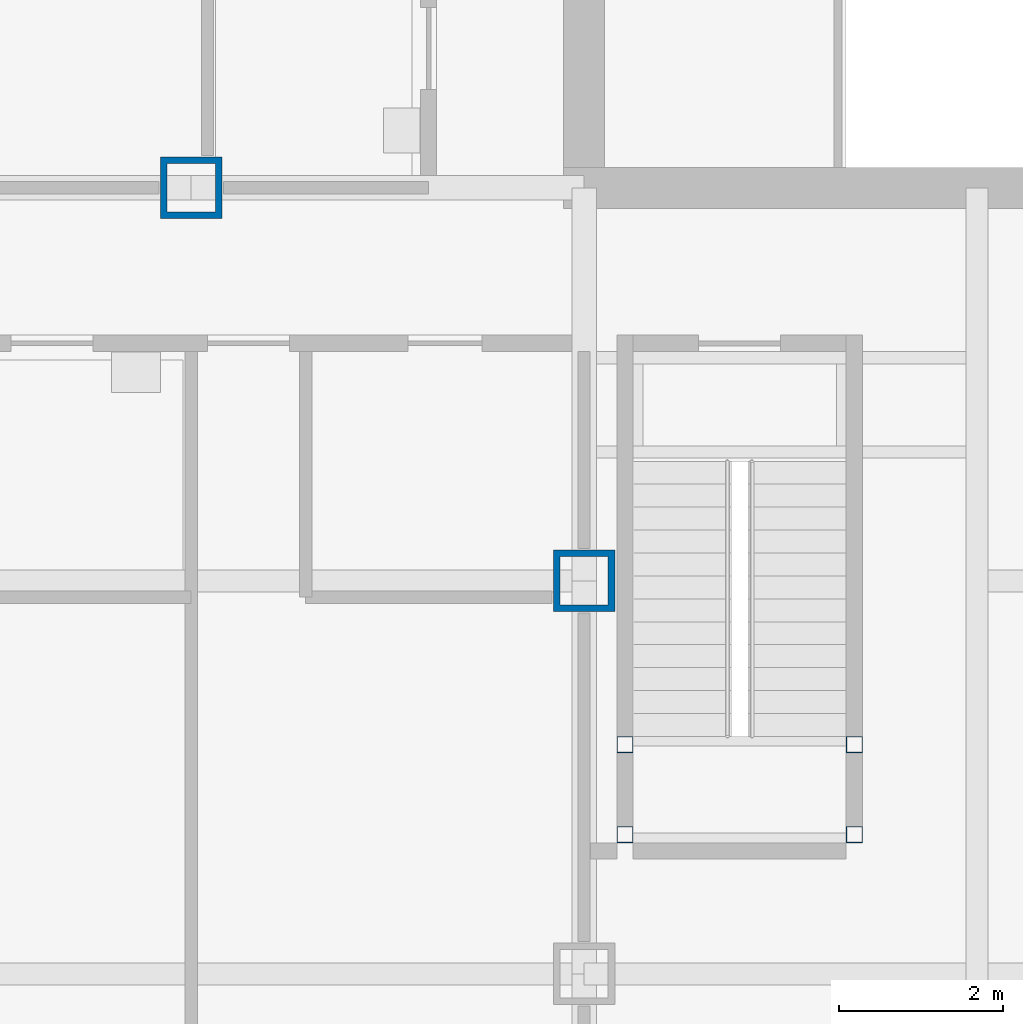
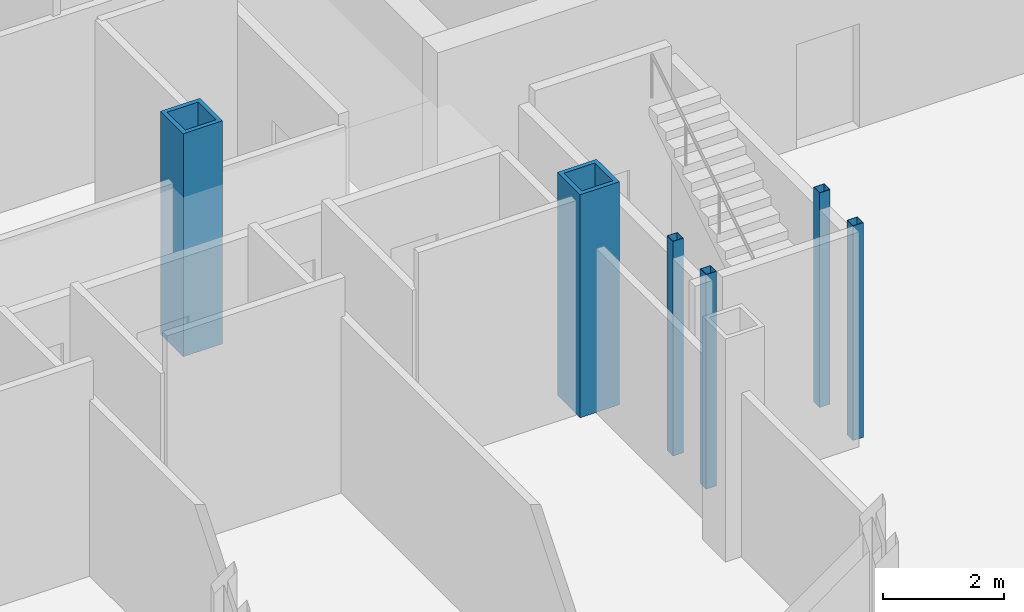
# One storey, part 3 of 28: 6 columns.
"""IFC4 building model written with IfcOpenShell, lengths in metres."""

import ifcopenshell
import ifcopenshell.guid

model = None  # the IFC model being written
_history = None  # IfcOwnerHistory: only IFC2X3 demands one
_inside = {}  # id of a spatial element -> (the spatial element, [elements in it])
_under = {}  # id of a project, library or spatial element -> (it, [spatial elements below it])
_declared = {}  # id of a project -> (the project, [libraries it declares])
_typed = {}  # id of a type object -> (the type object, [elements of that type])
_made_of = {}  # id of a material, layer set ... -> (it, [elements and type objects made of it])


def new_model(schema):
    """Start an empty IFC model of exactly this schema.

    Asked for "IFC4X3", IfcOpenShell would pick the latest addendum, in which some entities
    have other attributes; the version numbers below select the first issue.
    IFC2X3 requires an IfcOwnerHistory on every rooted entity: one is made here for all.
    """
    global model, _history
    if schema == "IFC4X3":
        model = ifcopenshell.file(schema_version=(4, 3, 0, 0))
    else:
        model = ifcopenshell.file(schema=schema)
    _inside.clear()
    _under.clear()
    _declared.clear()
    _typed.clear()
    _made_of.clear()
    _history = None
    if model.schema == "IFC2X3":
        org = make("IfcOrganization", Name="unknown")
        user = make(
            "IfcPersonAndOrganization",
            ThePerson=make("IfcPerson", FamilyName="unknown"),
            TheOrganization=org,
        )
        app = make(
            "IfcApplication",
            ApplicationDeveloper=org,
            Version="unknown",
            ApplicationFullName="unknown",
            ApplicationIdentifier="unknown",
        )
        _history = make(
            "IfcOwnerHistory",
            OwningUser=user,
            OwningApplication=app,
            ChangeAction="ADDED",
            CreationDate=0,
        )
    return model


def make(cls, **values):
    """One entity of the class cls with the attributes given. An attribute that is None is left unset."""
    return model.create_entity(
        cls, **{name: value for name, value in values.items() if value is not None}
    )


def rooted(cls, **values):
    """An entity with a GlobalId (a new one), such as an element, a storey or a relation."""
    return make(cls, GlobalId=ifcopenshell.guid.new(), OwnerHistory=_history, **values)


def si_unit(unit_type, name, prefix=None):
    """IfcSIUnit, for example si_unit("LENGTHUNIT", "METRE", prefix="MILLI")."""
    return make("IfcSIUnit", UnitType=unit_type, Prefix=prefix, Name=name)


def assignment(units):
    """IfcUnitAssignment: the units of a project."""
    return None if units is None else make("IfcUnitAssignment", Units=units)


def point(xyz):
    """IfcCartesianPoint."""
    return None if xyz is None else make("IfcCartesianPoint", Coordinates=xyz)


def direction(xyz):
    """IfcDirection."""
    return None if xyz is None else make("IfcDirection", DirectionRatios=xyz)


def frame(location, z_axis=None, x_axis=None):
    """IfcAxis2Placement3D, a coordinate frame: its origin and axes. An axis left out is left unset."""
    return make(
        "IfcAxis2Placement3D",
        Location=point(location),
        Axis=direction(z_axis),
        RefDirection=direction(x_axis),
    )


def frame_2d(location, x_axis=None):
    """IfcAxis2Placement2D, a coordinate frame in the plane: its origin and x axis."""
    return make(
        "IfcAxis2Placement2D", Location=point(location), RefDirection=direction(x_axis)
    )


def origin():
    """The frame at (0, 0, 0) with its axes left unset."""
    return frame((0.0, 0.0, 0.0))


def origin_2d():
    """The frame at (0, 0) in the plane with its x axis left unset."""
    return frame_2d((0.0, 0.0))


def place(relative_to, where):
    """IfcLocalPlacement: puts the frame where relative to a parent placement (None: the world)."""
    return make(
        "IfcLocalPlacement", PlacementRelTo=relative_to, RelativePlacement=where
    )


def context(
    kind, dimensions, precision=None, world=None, true_north=None, identifier=None
):
    """IfcGeometricRepresentationContext, for example the 3D "Model" context."""
    return make(
        "IfcGeometricRepresentationContext",
        ContextIdentifier=identifier,
        ContextType=kind,
        CoordinateSpaceDimension=dimensions,
        Precision=precision,
        WorldCoordinateSystem=world,
        TrueNorth=true_north,
    )


def subcontext(parent, identifier, kind, view, scale=None):
    """IfcGeometricRepresentationSubContext, for example "Body" below "Model"."""
    return make(
        "IfcGeometricRepresentationSubContext",
        ContextIdentifier=identifier,
        ContextType=kind,
        ParentContext=parent,
        TargetScale=scale,
        TargetView=view,
    )


def project(units=None, contexts=None):
    """IfcProject with its units and contexts."""
    return rooted(
        "IfcProject",
        Name="project",
        RepresentationContexts=contexts,
        UnitsInContext=assignment(units),
    )


def spatial(cls, under=None, at=None, **own):
    """A site, building, storey or space (cls), placed at a placement, below another one or the project."""
    s = rooted(cls, ObjectPlacement=at, **own)
    if under is not None:
        _under.setdefault(under.id(), (under, []))[1].append(s)
    return s


def profile(cls, at=None, kind="AREA", **sizes):
    """A parametric profile (cls). Its sizes go by their IFC names, for example OverallWidth=200.0."""
    return make(cls, ProfileType=kind, Position=at, **sizes)


def hollow_rectangle(**sizes):
    """IfcRectangleHollowProfileDef."""
    return profile("IfcRectangleHollowProfileDef", **sizes)


def extrude(swept, where, along, depth):
    """IfcExtrudedAreaSolid: the profile swept, set in the frame where, extruded along a direction by depth."""
    return make(
        "IfcExtrudedAreaSolid",
        SweptArea=swept,
        Position=where,
        ExtrudedDirection=direction(along),
        Depth=depth,
    )


def shape(context_of_items, identifier, shape_type, items):
    """IfcShapeRepresentation: the items that make up one representation, for example the "Body"."""
    return make(
        "IfcShapeRepresentation",
        ContextOfItems=context_of_items,
        RepresentationIdentifier=identifier,
        RepresentationType=shape_type,
        Items=items,
    )


def material(Name=None, Category=None):
    """IfcMaterial."""
    return make("IfcMaterial", Name=Name, Category=Category)


def material_profile(
    of_material, cross_section, Name=None, Category=None, Priority=None
):
    """IfcMaterialProfile: a cross section and its material."""
    return make(
        "IfcMaterialProfile",
        Name=Name,
        Material=of_material,
        Profile=cross_section,
        Priority=Priority,
        Category=Category,
    )


def profile_set(profiles, Name=None, composite=None):
    """IfcMaterialProfileSet."""
    return make(
        "IfcMaterialProfileSet",
        Name=Name,
        MaterialProfiles=profiles,
        CompositeProfile=composite,
    )


def made_of(thing, what):
    """Note that an element or type object is made of a material, layer set ...; save() writes the relation."""
    if what is not None:
        _made_of.setdefault(what.id(), (what, []))[1].append(thing)
    return thing


def type_object(cls, material=None, **own):
    """A type object (cls), such as IfcWallType, which elements share."""
    return made_of(rooted(cls, **own), material)


def element(
    cls,
    number,
    at=None,
    inside=None,
    cuts=None,
    type_object=None,
    material=None,
    context=None,
    identifier="Body",
    shape_type=None,
    held_by="IfcProductDefinitionShape",
    body=None,
    shapes=None,
    **own,
):
    """One element of the class cls, such as IfcWall. Its Tag is "e" and its number.

    at: its placement. inside: the storey or other place that contains it. cuts: it is an
    opening in that element (IfcRelVoidsElement). A single representation is given by context,
    identifier, shape_type and body (its items); several are given by shapes. held_by: the class
    of the entity that holds the representations. save() writes the other relations.
    """
    e = rooted(cls, Tag="e%d" % number, ObjectPlacement=at, **own)
    if body is not None:
        shapes = [shape(context, identifier, shape_type, body)]
    if shapes is not None:
        e.Representation = make(held_by, Representations=shapes)
    if inside is not None:
        _inside.setdefault(inside.id(), (inside, []))[1].append(e)
    if cuts is not None:
        rooted(
            "IfcRelVoidsElement", RelatingBuildingElement=cuts, RelatedOpeningElement=e
        )
    if type_object is not None:
        _typed.setdefault(type_object.id(), (type_object, []))[1].append(e)
    return made_of(e, material)


def aggregate(whole, parts):
    """IfcRelAggregates: a whole, such as a stair, and the parts it consists of."""
    return rooted("IfcRelAggregates", RelatingObject=whole, RelatedObjects=parts)


def save(model, path):
    """Write the relations noted so far, then the file.

    IfcRelAggregates (storeys below a building ...), IfcRelContainedInSpatialStructure (elements
    in a storey), IfcRelDefinesByType, IfcRelAssociatesMaterial and IfcRelDeclares: one each for
    every whole, place, type object, material and project.
    """
    for whole, parts in _under.values():
        aggregate(whole, parts)
    for where, things in _inside.values():
        rooted(
            "IfcRelContainedInSpatialStructure",
            RelatedElements=things,
            RelatingStructure=where,
        )
    for kind, things in _typed.values():
        rooted("IfcRelDefinesByType", RelatedObjects=things, RelatingType=kind)
    for what, things in _made_of.values():
        rooted("IfcRelAssociatesMaterial", RelatedObjects=things, RelatingMaterial=what)
    for by, libraries in _declared.values():
        rooted("IfcRelDeclares", RelatingContext=by, RelatedDefinitions=libraries)
    model.write(path)


model = new_model("IFC4")

# Units and contexts
model_context = context("Model", 3, precision=1e-05, world=origin(), true_north=direction((0.0, 1.0)))
body_context = subcontext(model_context, "Body", "Model", "MODEL_VIEW")
ifc_project = project(units=[si_unit("LENGTHUNIT", "METRE"), si_unit("AREAUNIT", "SQUARE_METRE"), si_unit("VOLUMEUNIT", "CUBIC_METRE"), si_unit("PLANEANGLEUNIT", "RADIAN"), si_unit("MASSUNIT", "GRAM", prefix="KILO")], contexts=[model_context])

# Site, building, storey
site_placement = place(None, origin())
site = spatial("IfcSite", under=ifc_project, at=site_placement, CompositionType="ELEMENT")
building_placement = place(site_placement, origin())
building = spatial("IfcBuilding", under=site, at=building_placement, Name="Kvirike Care Tower", CompositionType="ELEMENT")
storey_placement = place(building_placement, frame((0.0, 0.0, 4.5)))
storey = spatial("IfcBuildingStorey", under=building, at=storey_placement, Name="L01", CompositionType="ELEMENT", Elevation=4.5)

# Columns
ifc_material_1 = material(Name="Steel S460", Category="steel")
ifc_material_profile_1 = material_profile(ifc_material_1, hollow_rectangle(XDim=0.75, YDim=0.75, WallThickness=0.080078125, at=origin_2d()), Name="BX 750x750x80")
ifc_profile_set_1 = profile_set([ifc_material_profile_1], Name="Steel S460")
column_type_1 = type_object("IfcColumnType", Name="COLUMN BX 750x750x80", PredefinedType="COLUMN", material=ifc_profile_set_1)
for number, where, z_axis, x_axis, name in (
    (1, (9.60009765625, 28.800048828125, 0.0), (0.0, 0.0, 1.0), (0.0, 1.0, 0.0), "Column G5 L01"),
    (2, (14.39990234375, 24.0, 0.0), (0.0, 0.0, 1.0), (1.0, 0.0, 0.0), "Column F6 L01"),
):
    element("IfcColumn", number, at=place(storey_placement, frame(where, z_axis=z_axis, x_axis=x_axis)), inside=storey, type_object=column_type_1, Name=name, PredefinedType="COLUMN", context=body_context, shape_type="SweptSolid", body=[
        extrude(hollow_rectangle(XDim=0.75, YDim=0.75, WallThickness=0.080078125, at=origin_2d()), origin(), (0.0, 0.0, 1.0), 4.5),
    ])
ifc_material_2 = material(Name="Steel S460", Category="steel")
ifc_material_profile_2 = material_profile(ifc_material_2, hollow_rectangle(XDim=0.199951171875, YDim=0.199951171875, WallThickness=0.008056640625, at=origin_2d()), Name="SHS 200x200x8")
ifc_profile_set_2 = profile_set([ifc_material_profile_2], Name="Steel S460")
column_type_2 = type_object("IfcColumnType", Name="STAIR POST SHS 200x200x8", PredefinedType="COLUMN", material=ifc_profile_set_2)
for number, where, z_axis, x_axis, name in (
    (3, (14.89990234375, 20.89990234375, 0.0), (0.0, 0.0, 1.0), (1.0, 0.0, 0.0), "Stair 5 post 1 L01"),
    (4, (17.699951171875, 20.89990234375, 0.0), (0.0, 0.0, 1.0), (1.0, 0.0, 0.0), "Stair 5 post 2 L01"),
    (5, (14.89990234375, 22.0, 0.0), (0.0, 0.0, 1.0), (1.0, 0.0, 0.0), "Stair 5 post 3 L01"),
    (6, (17.699951171875, 22.0, 0.0), (0.0, 0.0, 1.0), (1.0, 0.0, 0.0), "Stair 5 post 4 L01"),
):
    element("IfcColumn", number, at=place(storey_placement, frame(where, z_axis=z_axis, x_axis=x_axis)), inside=storey, type_object=column_type_2, Name=name, PredefinedType="COLUMN", context=body_context, shape_type="SweptSolid", body=[
        extrude(hollow_rectangle(XDim=0.199951171875, YDim=0.199951171875, WallThickness=0.008056640625, at=origin_2d()), origin(), (0.0, 0.0, 1.0), 4.330078125),
    ])

save(model, "model.ifc")
